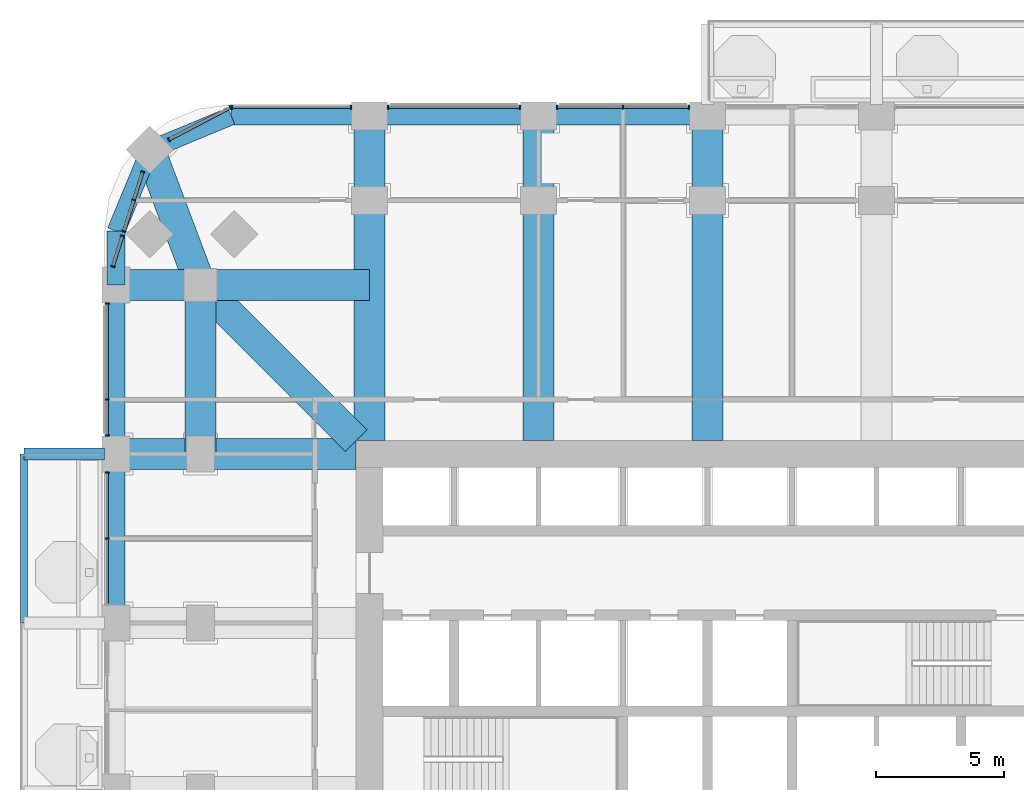
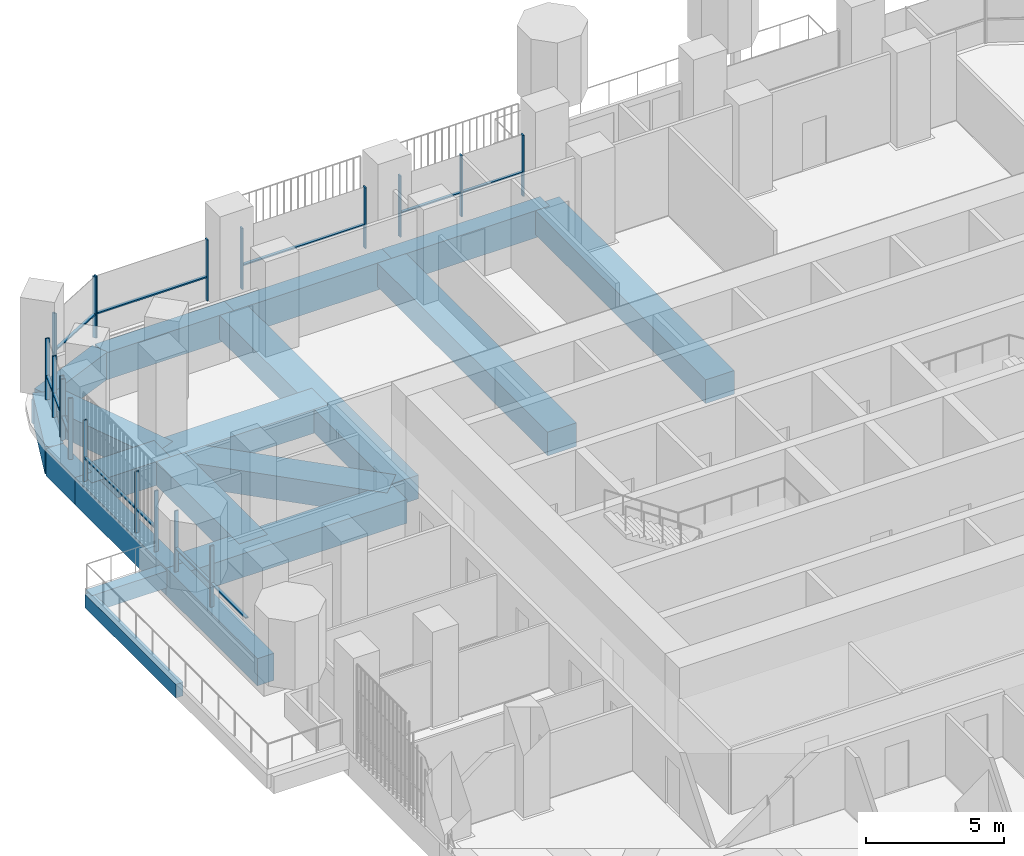
# One storey, part 6 of 22: 31 members, 19 beams, 8 elements without a shape of their own.
"""IFC4 building model written with IfcOpenShell, lengths in metres."""

from ifc_helpers import new_model, si_unit, direction, frame, origin, origin_2d, place, context, subcontext, project, spatial, rectangle, extrude, material, material_profile, profile_set, type_object, element, aggregate, save


model = new_model("IFC4")

# Units and contexts
model_context = context("Model", 3, precision=1e-05, world=origin(), true_north=direction((0.0, 1.0)))
body_context = subcontext(model_context, "Body", "Model", "MODEL_VIEW")
ifc_project = project(units=[si_unit("LENGTHUNIT", "METRE"), si_unit("AREAUNIT", "SQUARE_METRE"), si_unit("VOLUMEUNIT", "CUBIC_METRE"), si_unit("PLANEANGLEUNIT", "RADIAN"), si_unit("MASSUNIT", "GRAM", prefix="KILO")], contexts=[model_context])

# Site, building, storey
site_placement = place(None, origin())
site = spatial("IfcSite", under=ifc_project, at=site_placement, CompositionType="ELEMENT")
building_placement = place(site_placement, origin())
building = spatial("IfcBuilding", under=site, at=building_placement, Name="Cobogo Forest Laboratory Tower", CompositionType="ELEMENT")
storey_placement = place(building_placement, frame((0.0, 0.0, 111.60009765625)))
storey = spatial("IfcBuildingStorey", under=building, at=storey_placement, Name="L25", CompositionType="ELEMENT", Elevation=111.60009765625)

# Beams
ifc_material_1 = material(Name="Concrete HA-40 (C40/50)", Category="concrete")
ifc_material_profile_1 = material_profile(ifc_material_1, rectangle(XDim=0.449951171875, YDim=0.75, at=origin_2d()), Name="RC 450x750")
ifc_profile_set_1 = profile_set([ifc_material_profile_1], Name="Concrete HA-40 (C40/50)")
beam_type_1 = type_object("IfcBeamType", Name="Balcony cantilever beam 450x750", PredefinedType="BEAM", material=ifc_profile_set_1)
beam_1_placement = place(storey_placement, frame((2.85009765625, 33.0, -0.625), z_axis=(-1.0, 0.0, 0.0), x_axis=(0.0, -1.0, 0.0)))
element("IfcBeam", 1, at=beam_1_placement, inside=storey, type_object=beam_type_1, Name="CB1 BAL-W1-C3 L25", PredefinedType="BEAM", context=body_context, shape_type="SweptSolid", body=[
    extrude(rectangle(XDim=0.449951171875, YDim=0.75, at=origin_2d()), origin(), (0.0, 0.0, 1.0), 3.150146484375),
])
ifc_material_profile_2 = material_profile(ifc_material_1, rectangle(XDim=0.300048828125, YDim=0.60009765625, at=origin_2d()), Name="RC 300x600")
ifc_profile_set_2 = profile_set([ifc_material_profile_2], Name="Concrete HA-40 (C40/50)")
beam_type_2 = type_object("IfcBeamType", Name="Balcony edge beam 300x600", PredefinedType="BEAM", material=ifc_profile_set_2)
beam_2_placement = place(storey_placement, frame((-0.300048828125, 26.39990234375, -0.550048828125), z_axis=(0.0, 1.0, 0.0), x_axis=(-1.0, 0.0, 0.0)))
element("IfcBeam", 2, at=beam_2_placement, inside=storey, type_object=beam_type_2, Name="BB1 BAL-W1-T2 L25", PredefinedType="BEAM", context=body_context, shape_type="SweptSolid", body=[
    extrude(rectangle(XDim=0.300048828125, YDim=0.60009765625, at=origin_2d()), origin(), (0.0, 0.0, 1.0), 6.60009765625),
])
ifc_material_profile_3 = material_profile(ifc_material_1, rectangle(XDim=1.199951171875, YDim=1.050048828125, at=origin_2d()), Name="RC 1200x1050")
ifc_profile_set_3 = profile_set([ifc_material_profile_3], Name="Concrete HA-40 (C40/50)")
beam_type_3 = type_object("IfcBeamType", Name="Laboratory floor wide beam 1200x1050", PredefinedType="BEAM", material=ifc_profile_set_3)
for number, where, z_axis, x_axis, name in (
    (3, (13.199951171875, 33.52490234375, -0.8251953125), (0.0, 1.0, 0.0), (-1.0, 0.0, 0.0), "RB1 R-3-N L25"),
    (4, (19.800048828125, 33.52490234375, -0.8251953125), (0.0, 1.0, 0.0), (-1.0, 0.0, 0.0), "RB1 R-4-N L25"),
    (5, (26.39990234375, 33.52490234375, -0.8251953125), (0.0, 1.0, 0.0), (-1.0, 0.0, 0.0), "RB1 R-5-N L25"),
):
    element("IfcBeam", number, at=place(storey_placement, frame(where, z_axis=z_axis, x_axis=x_axis)), inside=storey, type_object=beam_type_3, Name=name, PredefinedType="BEAM", context=body_context, shape_type="SweptSolid", body=[
        extrude(rectangle(XDim=1.199951171875, YDim=1.050048828125, at=origin_2d()), origin(), (0.0, 0.0, 1.0), 12.675048828125),
    ])
beam_3_placement = place(storey_placement, frame((12.675048828125, 33.0, -0.8251953125), z_axis=(-1.0, 0.0, 0.0), x_axis=(0.0, -1.0, 0.0)))
element("IfcBeam", 6, at=beam_3_placement, inside=storey, type_object=beam_type_3, Name="RB1 R-F-W L25", PredefinedType="BEAM", context=body_context, shape_type="SweptSolid", body=[
    extrude(rectangle(XDim=1.199951171875, YDim=1.050048828125, at=origin_2d()), origin(), (0.0, 0.0, 1.0), 9.375),
])
beam_4_placement = place(storey_placement, frame((6.60009765625, 39.60009765625, -0.8251953125), z_axis=(0.0, -1.0, 0.0), x_axis=(1.0, 0.0, 0.0)))
element("IfcBeam", 7, at=beam_4_placement, inside=storey, type_object=beam_type_3, Name="RB1 G-NW-XC L25", PredefinedType="BEAM", context=body_context, shape_type="SweptSolid", body=[
    extrude(rectangle(XDim=1.199951171875, YDim=1.050048828125, at=origin_2d()), origin(), (0.0, 0.0, 1.0), 6.60009765625),
])
beam_5_placement = place(storey_placement, frame((3.300048828125, 39.60009765625, -0.8251953125), z_axis=(1.0, 0.0, 0.0), x_axis=(0.0, 1.0, 0.0)))
element("IfcBeam", 8, at=beam_5_placement, inside=storey, type_object=beam_type_3, Name="RB1 G-NW-YF L25", PredefinedType="BEAM", context=body_context, shape_type="SweptSolid", body=[
    extrude(rectangle(XDim=1.199951171875, YDim=1.050048828125, at=origin_2d()), origin(), (0.0, 0.0, 1.0), 3.300048828125),
])
beam_6_placement = place(storey_placement, frame((6.60009765625, 39.60009765625, -0.8251953125), z_axis=(1.0, 0.0, 0.0), x_axis=(0.0, 1.0, 0.0)))
element("IfcBeam", 9, at=beam_6_placement, inside=storey, type_object=beam_type_3, Name="RB1 G-NW-YC L25", PredefinedType="BEAM", context=body_context, shape_type="SweptSolid", body=[
    extrude(rectangle(XDim=1.199951171875, YDim=1.050048828125, at=origin_2d()), origin(), (0.0, 0.0, 1.0), 6.599853515625),
])
beam_7_placement = place(storey_placement, frame((4.617919921875, 44.882080078125, -0.8251953125), z_axis=(0.351346325373, -0.936245565889, 0.0), x_axis=(0.936245565889, 0.351346325373, 0.0)))
element("IfcBeam", 10, at=beam_7_placement, inside=storey, type_object=beam_type_3, Name="RB1 G-NW-D1 L25", PredefinedType="BEAM", context=body_context, shape_type="SweptSolid", body=[
    extrude(rectangle(XDim=1.199951171875, YDim=1.050048828125, at=origin_2d()), origin(), (0.0, 0.0, 1.0), 5.6416015625),
])
beam_8_placement = place(storey_placement, frame((6.60009765625, 39.60009765625, -0.8251953125), z_axis=(0.707092572697, -0.70712098939, 0.0), x_axis=(0.70712098939, 0.707092572697, 0.0)))
element("IfcBeam", 11, at=beam_8_placement, inside=storey, type_object=beam_type_3, Name="RB1 G-NW-D2 L25", PredefinedType="BEAM", context=body_context, shape_type="SweptSolid", body=[
    extrude(rectangle(XDim=1.199951171875, YDim=1.050048828125, at=origin_2d()), origin(), (0.0, 0.0, 1.0), 8.591552734375),
])

# Curtain wall, members
ifc_material_2 = material(Name="Aluminium curtain wall", Category="aluminium")
curtain_wall_type = type_object("IfcCurtainWallType", Name="CW-1 unitised curtain wall, clear glazing, laboratory floors zones A and B", PredefinedType="USERDEFINED", material=ifc_material_2)
curtain_wall_1_placement = place(storey_placement, origin())
curtain_wall_1 = element("IfcCurtainWall", 12, at=curtain_wall_1_placement, inside=storey, type_object=curtain_wall_type, Name="Curtain wall 21 L25", ObjectType="UNITISED CURTAIN WALL", PredefinedType="USERDEFINED")
ifc_material_3 = material(Name="Aluminium mullion", Category="aluminium")
ifc_material_profile_4 = material_profile(ifc_material_3, rectangle(XDim=0.06005859375, YDim=0.159912109375, at=origin_2d()), Name="AL 60x160")
ifc_profile_set_4 = profile_set([ifc_material_profile_4], Name="Aluminium mullion")
member_type_1 = type_object("IfcMemberType", Name="MU-1 aluminium mullion 60x160", PredefinedType="MULLION", material=ifc_profile_set_4)
member_1_placement = place(storey_placement, frame((25.669921875, 46.550048828125, 0.0), z_axis=(0.0, 0.0, 1.0), x_axis=(-1.0, 0.0, 0.0)))
member_1 = element("IfcMember", 13, at=member_1_placement, type_object=member_type_1, Name="CW-1 mullion 1", PredefinedType="MULLION", context=body_context, shape_type="SweptSolid", body=[
    extrude(rectangle(XDim=0.06005859375, YDim=0.159912109375, at=origin_2d()), origin(), (0.0, 0.0, 1.0), 2.699951171875),
])
member_2_placement = place(storey_placement, frame((23.10009765625, 46.550048828125, 0.0), z_axis=(0.0, 0.0, 1.0), x_axis=(-1.0, 0.0, 0.0)))
member_2 = element("IfcMember", 14, at=member_2_placement, type_object=member_type_1, Name="CW-1 mullion 2", PredefinedType="MULLION", context=body_context, shape_type="SweptSolid", body=[
    extrude(rectangle(XDim=0.06005859375, YDim=0.159912109375, at=origin_2d()), origin(), (0.0, 0.0, 1.0), 2.699951171875),
])
member_3_placement = place(storey_placement, frame((20.530029296875, 46.550048828125, 0.0), z_axis=(0.0, 0.0, 1.0), x_axis=(-1.0, 0.0, 0.0)))
member_3 = element("IfcMember", 15, at=member_3_placement, type_object=member_type_1, Name="CW-1 mullion 3", PredefinedType="MULLION", context=body_context, shape_type="SweptSolid", body=[
    extrude(rectangle(XDim=0.06005859375, YDim=0.159912109375, at=origin_2d()), origin(), (0.0, 0.0, 1.0), 2.699951171875),
])

curtain_wall_2_placement = place(storey_placement, origin())
curtain_wall_2 = element("IfcCurtainWall", 16, at=curtain_wall_2_placement, inside=storey, type_object=curtain_wall_type, Name="Curtain wall 22 L25", ObjectType="UNITISED CURTAIN WALL", PredefinedType="USERDEFINED")
member_4_placement = place(storey_placement, frame((19.070068359375, 46.550048828125, 0.0), z_axis=(0.0, 0.0, 1.0), x_axis=(-1.0, 0.0, 0.0)))
member_4 = element("IfcMember", 17, at=member_4_placement, type_object=member_type_1, Name="CW-1 mullion 1", PredefinedType="MULLION", context=body_context, shape_type="SweptSolid", body=[
    extrude(rectangle(XDim=0.06005859375, YDim=0.159912109375, at=origin_2d()), origin(), (0.0, 0.0, 1.0), 2.699951171875),
])
member_5_placement = place(storey_placement, frame((13.929931640625, 46.550048828125, 0.0), z_axis=(0.0, 0.0, 1.0), x_axis=(-1.0, 0.0, 0.0)))
member_5 = element("IfcMember", 18, at=member_5_placement, type_object=member_type_1, Name="CW-1 mullion 2", PredefinedType="MULLION", context=body_context, shape_type="SweptSolid", body=[
    extrude(rectangle(XDim=0.06005859375, YDim=0.159912109375, at=origin_2d()), origin(), (0.0, 0.0, 1.0), 2.699951171875),
])

curtain_wall_3_placement = place(storey_placement, origin())
curtain_wall_3 = element("IfcCurtainWall", 19, at=curtain_wall_3_placement, inside=storey, type_object=curtain_wall_type, Name="Curtain wall 23 L25", ObjectType="UNITISED CURTAIN WALL", PredefinedType="USERDEFINED")
member_6_placement = place(storey_placement, frame((12.469970703125, 46.550048828125, 0.0), z_axis=(0.0, 0.0, 1.0), x_axis=(-1.0, 0.0, 0.0)))
member_6 = element("IfcMember", 20, at=member_6_placement, type_object=member_type_1, Name="CW-1 mullion 1", PredefinedType="MULLION", context=body_context, shape_type="SweptSolid", body=[
    extrude(rectangle(XDim=0.06005859375, YDim=0.159912109375, at=origin_2d()), origin(), (0.0, 0.0, 1.0), 2.699951171875),
])
member_7_placement = place(storey_placement, frame((7.830078125, 46.550048828125, 0.0), z_axis=(0.0, 0.0, 1.0), x_axis=(-1.0, 0.0, 0.0)))
member_7 = element("IfcMember", 21, at=member_7_placement, type_object=member_type_1, Name="CW-1 mullion 2", PredefinedType="MULLION", context=body_context, shape_type="SweptSolid", body=[
    extrude(rectangle(XDim=0.06005859375, YDim=0.159912109375, at=origin_2d()), origin(), (0.0, 0.0, 1.0), 2.699951171875),
])

curtain_wall_4_placement = place(storey_placement, origin())
curtain_wall_4 = element("IfcCurtainWall", 22, at=curtain_wall_4_placement, inside=storey, type_object=curtain_wall_type, Name="Curtain wall 24 L25", ObjectType="UNITISED CURTAIN WALL", PredefinedType="USERDEFINED")
member_8_placement = place(storey_placement, frame((7.7734375, 46.5361328125, 0.0), z_axis=(0.0, 0.0, 1.0), x_axis=(-0.885686547075, -0.464283685186, 0.0)))
member_8 = element("IfcMember", 23, at=member_8_placement, type_object=member_type_1, Name="CW-1 mullion 1", PredefinedType="MULLION", context=body_context, shape_type="SweptSolid", body=[
    extrude(rectangle(XDim=0.06005859375, YDim=0.159912109375, at=origin_2d()), origin(), (0.0, 0.0, 1.0), 2.699951171875),
])
member_9_placement = place(storey_placement, frame((5.368408203125, 45.275390625, 0.0), z_axis=(0.0, 0.0, 1.0), x_axis=(-0.885686547075, -0.464283685186, 0.0)))
member_9 = element("IfcMember", 24, at=member_9_placement, type_object=member_type_1, Name="CW-1 mullion 2", PredefinedType="MULLION", context=body_context, shape_type="SweptSolid", body=[
    extrude(rectangle(XDim=0.06005859375, YDim=0.159912109375, at=origin_2d()), origin(), (0.0, 0.0, 1.0), 2.699951171875),
])

curtain_wall_5_placement = place(storey_placement, origin())
curtain_wall_5 = element("IfcCurtainWall", 25, at=curtain_wall_5_placement, inside=storey, type_object=curtain_wall_type, Name="Curtain wall 25 L25", ObjectType="UNITISED CURTAIN WALL", PredefinedType="USERDEFINED")
member_10_placement = place(storey_placement, frame((4.34423828125, 44.01513671875, 0.0), z_axis=(0.0, 0.0, 1.0), x_axis=(-0.301135291996, -0.953581425949, 0.0)))
member_10 = element("IfcMember", 26, at=member_10_placement, type_object=member_type_1, Name="CW-1 mullion 1", PredefinedType="MULLION", context=body_context, shape_type="SweptSolid", body=[
    extrude(rectangle(XDim=0.06005859375, YDim=0.159912109375, at=origin_2d()), origin(), (0.0, 0.0, 1.0), 2.699951171875),
])
member_11_placement = place(storey_placement, frame((3.999755859375, 42.924072265625, 0.0), z_axis=(0.0, 0.0, 1.0), x_axis=(-0.301135291996, -0.953581425949, 0.0)))
member_11 = element("IfcMember", 27, at=member_11_placement, type_object=member_type_1, Name="CW-1 mullion 2", PredefinedType="MULLION", context=body_context, shape_type="SweptSolid", body=[
    extrude(rectangle(XDim=0.06005859375, YDim=0.159912109375, at=origin_2d()), origin(), (0.0, 0.0, 1.0), 2.699951171875),
])
member_12_placement = place(storey_placement, frame((3.613037109375, 41.69970703125, 0.0), z_axis=(0.0, 0.0, 1.0), x_axis=(-0.301135291996, -0.953581425949, 0.0)))
member_12 = element("IfcMember", 28, at=member_12_placement, type_object=member_type_1, Name="CW-1 mullion 3", PredefinedType="MULLION", context=body_context, shape_type="SweptSolid", body=[
    extrude(rectangle(XDim=0.06005859375, YDim=0.159912109375, at=origin_2d()), origin(), (0.0, 0.0, 1.0), 2.699951171875),
])

curtain_wall_6_placement = place(storey_placement, origin())
curtain_wall_6 = element("IfcCurtainWall", 29, at=curtain_wall_6_placement, inside=storey, type_object=curtain_wall_type, Name="Curtain wall 26 L25", ObjectType="UNITISED CURTAIN WALL", PredefinedType="USERDEFINED")
member_13_placement = place(storey_placement, frame((3.55224609375, 41.507080078125, 0.0), z_axis=(0.0, 0.0, 1.0), x_axis=(-0.301135356805, -0.953581405483, 0.0)))
member_13 = element("IfcMember", 30, at=member_13_placement, type_object=member_type_1, Name="CW-1 mullion 1", PredefinedType="MULLION", context=body_context, shape_type="SweptSolid", body=[
    extrude(rectangle(XDim=0.06005859375, YDim=0.159912109375, at=origin_2d()), origin(), (0.0, 0.0, 1.0), 2.699951171875),
])
member_14_placement = place(storey_placement, frame((3.18017578125, 40.32861328125, 0.0), z_axis=(0.0, 0.0, 1.0), x_axis=(-0.301135356805, -0.953581405483, 0.0)))
member_14 = element("IfcMember", 31, at=member_14_placement, type_object=member_type_1, Name="CW-1 mullion 2", PredefinedType="MULLION", context=body_context, shape_type="SweptSolid", body=[
    extrude(rectangle(XDim=0.06005859375, YDim=0.159912109375, at=origin_2d()), origin(), (0.0, 0.0, 1.0), 2.699951171875),
])

curtain_wall_7_placement = place(storey_placement, origin())
curtain_wall_7 = element("IfcCurtainWall", 32, at=curtain_wall_7_placement, inside=storey, type_object=curtain_wall_type, Name="Curtain wall 27 L25", ObjectType="UNITISED CURTAIN WALL", PredefinedType="USERDEFINED")
member_15_placement = place(storey_placement, frame((2.949951171875, 38.8701171875, 0.0), z_axis=(0.0, 0.0, 1.0), x_axis=(0.0, -1.0, 0.0)))
member_15 = element("IfcMember", 33, at=member_15_placement, type_object=member_type_1, Name="CW-1 mullion 1", PredefinedType="MULLION", context=body_context, shape_type="SweptSolid", body=[
    extrude(rectangle(XDim=0.06005859375, YDim=0.159912109375, at=origin_2d()), origin(), (0.0, 0.0, 1.0), 2.699951171875),
])
member_16_placement = place(storey_placement, frame((2.949951171875, 35.125, 0.0), z_axis=(0.0, 0.0, 1.0), x_axis=(0.0, -1.0, 0.0)))
member_16 = element("IfcMember", 34, at=member_16_placement, type_object=member_type_1, Name="CW-1 mullion 2", PredefinedType="MULLION", context=body_context, shape_type="SweptSolid", body=[
    extrude(rectangle(XDim=0.06005859375, YDim=0.159912109375, at=origin_2d()), origin(), (0.0, 0.0, 1.0), 2.699951171875),
])
member_17_placement = place(storey_placement, frame((2.949951171875, 33.72998046875, 0.0), z_axis=(0.0, 0.0, 1.0), x_axis=(0.0, -1.0, 0.0)))
member_17 = element("IfcMember", 35, at=member_17_placement, type_object=member_type_1, Name="CW-1 mullion 3", PredefinedType="MULLION", context=body_context, shape_type="SweptSolid", body=[
    extrude(rectangle(XDim=0.06005859375, YDim=0.159912109375, at=origin_2d()), origin(), (0.0, 0.0, 1.0), 2.699951171875),
])

curtain_wall_8_placement = place(storey_placement, origin())
curtain_wall_8 = element("IfcCurtainWall", 36, at=curtain_wall_8_placement, inside=storey, type_object=curtain_wall_type, Name="Curtain wall 28 L25", ObjectType="UNITISED CURTAIN WALL", PredefinedType="USERDEFINED")
member_18_placement = place(storey_placement, frame((2.949951171875, 32.27001953125, 0.0), z_axis=(0.0, 0.0, 1.0), x_axis=(0.0, -1.0, 0.0)))
member_18 = element("IfcMember", 37, at=member_18_placement, type_object=member_type_1, Name="CW-1 mullion 1", PredefinedType="MULLION", context=body_context, shape_type="SweptSolid", body=[
    extrude(rectangle(XDim=0.06005859375, YDim=0.159912109375, at=origin_2d()), origin(), (0.0, 0.0, 1.0), 2.699951171875),
])
member_19_placement = place(storey_placement, frame((2.949951171875, 29.699951171875, 0.0), z_axis=(0.0, 0.0, 1.0), x_axis=(0.0, -1.0, 0.0)))
member_19 = element("IfcMember", 38, at=member_19_placement, type_object=member_type_1, Name="CW-1 mullion 2", PredefinedType="MULLION", context=body_context, shape_type="SweptSolid", body=[
    extrude(rectangle(XDim=0.06005859375, YDim=0.159912109375, at=origin_2d()), origin(), (0.0, 0.0, 1.0), 2.699951171875),
])

# Beams
ifc_material_profile_5 = material_profile(ifc_material_1, rectangle(XDim=0.699951171875, YDim=1.199951171875, at=origin_2d()), Name="RC 700x1200")
ifc_profile_set_5 = profile_set([ifc_material_profile_5], Name="Concrete HA-40 (C40/50)")
beam_type_4 = type_object("IfcBeamType", Name="Perimeter edge beam 700x1200", PredefinedType="BEAM", material=ifc_profile_set_5)
beam_9_placement = place(storey_placement, frame((13.199951171875, 46.199951171875, -0.900146484375), z_axis=(1.0, 0.0, 0.0), x_axis=(0.0, 1.0, 0.0)))
element("IfcBeam", 39, at=beam_9_placement, inside=storey, type_object=beam_type_4, Name="EB1 E-N1 L25", PredefinedType="BEAM", context=body_context, shape_type="SweptSolid", body=[
    extrude(rectangle(XDim=0.699951171875, YDim=1.199951171875, at=origin_2d()), origin(), (0.0, 0.0, 1.0), 6.60009765625),
])
beam_10_placement = place(storey_placement, frame((19.800048828125, 46.199951171875, -0.900146484375), z_axis=(1.0, 0.0, 0.0), x_axis=(0.0, 1.0, 0.0)))
element("IfcBeam", 40, at=beam_10_placement, inside=storey, type_object=beam_type_4, Name="EB1 E-N2 L25", PredefinedType="BEAM", context=body_context, shape_type="SweptSolid", body=[
    extrude(rectangle(XDim=0.699951171875, YDim=1.199951171875, at=origin_2d()), origin(), (0.0, 0.0, 1.0), 6.599853515625),
])
for number, where, z_axis, x_axis, name in (
    (41, (3.300048828125, 26.39990234375, -0.900146484375), (0.0, 1.0, 0.0), (-1.0, 0.0, 0.0), "EB1 E-W4 L25"),
    (42, (3.300048828125, 33.0, -0.900146484375), (0.0, 1.0, 0.0), (-1.0, 0.0, 0.0), "EB1 E-W5 L25"),
):
    element("IfcBeam", number, at=place(storey_placement, frame(where, z_axis=z_axis, x_axis=x_axis)), inside=storey, type_object=beam_type_4, Name=name, PredefinedType="BEAM", context=body_context, shape_type="SweptSolid", body=[
        extrude(rectangle(XDim=0.699951171875, YDim=1.199951171875, at=origin_2d()), origin(), (0.0, 0.0, 1.0), 6.60009765625),
    ])
beam_11_placement = place(storey_placement, frame((13.199951171875, 46.199951171875, -0.900146484375), z_axis=(-1.0, 0.0, 0.0), x_axis=(0.0, -1.0, 0.0)))
element("IfcBeam", 43, at=beam_11_placement, inside=storey, type_object=beam_type_4, Name="EB1 E-NWN1 L25", PredefinedType="BEAM", context=body_context, shape_type="SweptSolid", body=[
    extrude(rectangle(XDim=0.699951171875, YDim=1.199951171875, at=origin_2d()), origin(), (0.0, 0.0, 1.0), 5.39990234375),
])
beam_12_placement = place(storey_placement, frame((7.800048828125, 46.199951171875, -0.900146484375), z_axis=(-0.923901072997, -0.382631424892, 0.0), x_axis=(0.382631424892, -0.923901072997, 0.0)))
element("IfcBeam", 44, at=beam_12_placement, inside=storey, type_object=beam_type_4, Name="EB1 E-NWN2 L25", PredefinedType="BEAM", context=body_context, shape_type="SweptSolid", body=[
    extrude(rectangle(XDim=0.699951171875, YDim=1.199951171875, at=origin_2d()), origin(), (0.0, 0.0, 1.0), 3.4443359375),
])
beam_13_placement = place(storey_placement, frame((3.300048828125, 39.60009765625, -0.900146484375), z_axis=(0.0, 1.0, 0.0), x_axis=(-1.0, 0.0, 0.0)))
element("IfcBeam", 45, at=beam_13_placement, inside=storey, type_object=beam_type_4, Name="EB1 E-NWW1 L25", PredefinedType="BEAM", context=body_context, shape_type="SweptSolid", body=[
    extrude(rectangle(XDim=0.699951171875, YDim=1.199951171875, at=origin_2d()), origin(), (0.0, 0.0, 1.0), 2.099853515625),
])
beam_14_placement = place(storey_placement, frame((3.300048828125, 41.699951171875, -0.900146484375), z_axis=(0.382631424892, 0.923901072997, 0.0), x_axis=(-0.923901072997, 0.382631424892, 0.0)))
element("IfcBeam", 46, at=beam_14_placement, inside=storey, type_object=beam_type_4, Name="EB1 E-NWW2 L25", PredefinedType="BEAM", context=body_context, shape_type="SweptSolid", body=[
    extrude(rectangle(XDim=0.699951171875, YDim=1.199951171875, at=origin_2d()), origin(), (0.0, 0.0, 1.0), 3.4443359375),
])

# Member
ifc_material_4 = material(Name="Aluminium transom", Category="aluminium")
ifc_material_profile_6 = material_profile(ifc_material_4, rectangle(XDim=0.1201171875, YDim=0.06005859375, at=origin_2d()), Name="AL 60x120")
ifc_profile_set_6 = profile_set([ifc_material_profile_6], Name="Aluminium transom")
member_type_2 = type_object("IfcMemberType", Name="TR-1 aluminium transom 60x120", PredefinedType="USERDEFINED", material=ifc_profile_set_6)
member_20_placement = place(storey_placement, frame((25.639892578125, 46.550048828125, 1.0498046875), z_axis=(-1.0, 0.0, 0.0), x_axis=(0.0, -1.0, 0.0)))
member_20 = element("IfcMember", 47, at=member_20_placement, type_object=member_type_2, Name="CW-1 transom 1.1", ObjectType="TRANSOM", PredefinedType="USERDEFINED", context=body_context, shape_type="SweptSolid", body=[
    extrude(rectangle(XDim=0.1201171875, YDim=0.06005859375, at=origin_2d()), origin(), (0.0, 0.0, 1.0), 2.510009765625),
])

member_21_placement = place(storey_placement, frame((23.070068359375, 46.550048828125, 1.0498046875), z_axis=(-1.0, 0.0, 0.0), x_axis=(0.0, -1.0, 0.0)))
member_21 = element("IfcMember", 48, at=member_21_placement, type_object=member_type_2, Name="CW-1 transom 2.1", ObjectType="TRANSOM", PredefinedType="USERDEFINED", context=body_context, shape_type="SweptSolid", body=[
    extrude(rectangle(XDim=0.1201171875, YDim=0.06005859375, at=origin_2d()), origin(), (0.0, 0.0, 1.0), 2.510009765625),
])

aggregate(curtain_wall_1, [member_1, member_2, member_3, member_20, member_21])

member_22_placement = place(storey_placement, frame((19.0400390625, 46.550048828125, 1.0498046875), z_axis=(-1.0, 0.0, 0.0), x_axis=(0.0, -1.0, 0.0)))
member_22 = element("IfcMember", 49, at=member_22_placement, type_object=member_type_2, Name="CW-1 transom 1.1", ObjectType="TRANSOM", PredefinedType="USERDEFINED", context=body_context, shape_type="SweptSolid", body=[
    extrude(rectangle(XDim=0.1201171875, YDim=0.06005859375, at=origin_2d()), origin(), (0.0, 0.0, 1.0), 5.080078125),
])

aggregate(curtain_wall_2, [member_4, member_5, member_22])

member_23_placement = place(storey_placement, frame((12.43994140625, 46.550048828125, 1.0498046875), z_axis=(-1.0, 0.0, 0.0), x_axis=(0.0, -1.0, 0.0)))
member_23 = element("IfcMember", 50, at=member_23_placement, type_object=member_type_2, Name="CW-1 transom 1.1", ObjectType="TRANSOM", PredefinedType="USERDEFINED", context=body_context, shape_type="SweptSolid", body=[
    extrude(rectangle(XDim=0.1201171875, YDim=0.06005859375, at=origin_2d()), origin(), (0.0, 0.0, 1.0), 4.579833984375),
])

aggregate(curtain_wall_3, [member_6, member_7, member_23])

member_24_placement = place(storey_placement, frame((7.746826171875, 46.522216796875, 1.0498046875), z_axis=(-0.885694740493, -0.464268054753, 0.0), x_axis=(0.464268054753, -0.885694740493, 0.0)))
member_24 = element("IfcMember", 51, at=member_24_placement, type_object=member_type_2, Name="CW-1 transom 1.1", ObjectType="TRANSOM", PredefinedType="USERDEFINED", context=body_context, shape_type="SweptSolid", body=[
    extrude(rectangle(XDim=0.1201171875, YDim=0.06005859375, at=origin_2d()), origin(), (0.0, 0.0, 1.0), 2.655517578125),
])

aggregate(curtain_wall_4, [member_8, member_9, member_24])

member_25_placement = place(storey_placement, frame((4.335205078125, 43.986328125, 1.0498046875), z_axis=(-0.301120589075, -0.953586068918, 0.0), x_axis=(0.953586068918, -0.301120589075, 0.0)))
member_25 = element("IfcMember", 52, at=member_25_placement, type_object=member_type_2, Name="CW-1 transom 1.1", ObjectType="TRANSOM", PredefinedType="USERDEFINED", context=body_context, shape_type="SweptSolid", body=[
    extrude(rectangle(XDim=0.1201171875, YDim=0.06005859375, at=origin_2d()), origin(), (0.0, 0.0, 1.0), 1.083984375),
])

member_26_placement = place(storey_placement, frame((3.99072265625, 42.8955078125, 1.0498046875), z_axis=(-0.301169549566, -0.953570606937, 0.0), x_axis=(0.953570606937, -0.301169549566, 0.0)))
member_26 = element("IfcMember", 53, at=member_26_placement, type_object=member_type_2, Name="CW-1 transom 2.1", ObjectType="TRANSOM", PredefinedType="USERDEFINED", context=body_context, shape_type="SweptSolid", body=[
    extrude(rectangle(XDim=0.1201171875, YDim=0.06005859375, at=origin_2d()), origin(), (0.0, 0.0, 1.0), 1.22412109375),
])

aggregate(curtain_wall_5, [member_10, member_11, member_12, member_25, member_26])

member_27_placement = place(storey_placement, frame((3.543212890625, 41.478515625, 1.0498046875), z_axis=(-0.301051874343, -0.953607764731, 0.0), x_axis=(0.953607764731, -0.301051874343, 0.0)))
member_27 = element("IfcMember", 54, at=member_27_placement, type_object=member_type_2, Name="CW-1 transom 1.1", ObjectType="TRANSOM", PredefinedType="USERDEFINED", context=body_context, shape_type="SweptSolid", body=[
    extrude(rectangle(XDim=0.1201171875, YDim=0.06005859375, at=origin_2d()), origin(), (0.0, 0.0, 1.0), 1.17578125),
])

aggregate(curtain_wall_6, [member_13, member_14, member_27])

member_28_placement = place(storey_placement, frame((2.949951171875, 38.840087890625, 1.0498046875), z_axis=(0.0, -1.0, 0.0), x_axis=(1.0, 0.0, 0.0)))
member_28 = element("IfcMember", 55, at=member_28_placement, type_object=member_type_2, Name="CW-1 transom 1.1", ObjectType="TRANSOM", PredefinedType="USERDEFINED", context=body_context, shape_type="SweptSolid", body=[
    extrude(rectangle(XDim=0.1201171875, YDim=0.06005859375, at=origin_2d()), origin(), (0.0, 0.0, 1.0), 3.68505859375),
])

member_29_placement = place(storey_placement, frame((2.949951171875, 35.094970703125, 1.0498046875), z_axis=(0.0, -1.0, 0.0), x_axis=(1.0, 0.0, 0.0)))
member_29 = element("IfcMember", 56, at=member_29_placement, type_object=member_type_2, Name="CW-1 transom 2.1", ObjectType="TRANSOM", PredefinedType="USERDEFINED", context=body_context, shape_type="SweptSolid", body=[
    extrude(rectangle(XDim=0.1201171875, YDim=0.06005859375, at=origin_2d()), origin(), (0.0, 0.0, 1.0), 1.3349609375),
])

aggregate(curtain_wall_7, [member_15, member_16, member_17, member_28, member_29])

member_30_placement = place(storey_placement, frame((2.949951171875, 32.239990234375, 1.0498046875), z_axis=(0.0, -1.0, 0.0), x_axis=(1.0, 0.0, 0.0)))
member_30 = element("IfcMember", 57, at=member_30_placement, type_object=member_type_2, Name="CW-1 transom 1.1", ObjectType="TRANSOM", PredefinedType="USERDEFINED", context=body_context, shape_type="SweptSolid", body=[
    extrude(rectangle(XDim=0.1201171875, YDim=0.06005859375, at=origin_2d()), origin(), (0.0, 0.0, 1.0), 2.510009765625),
])

member_31_placement = place(storey_placement, frame((2.949951171875, 29.669921875, 1.0498046875), z_axis=(0.0, -1.0, 0.0), x_axis=(1.0, 0.0, 0.0)))
member_31 = element("IfcMember", 58, at=member_31_placement, type_object=member_type_2, Name="CW-1 transom 2.1", ObjectType="TRANSOM", PredefinedType="USERDEFINED", context=body_context, shape_type="SweptSolid", body=[
    extrude(rectangle(XDim=0.1201171875, YDim=0.06005859375, at=origin_2d()), origin(), (0.0, 0.0, 1.0), 2.510009765625),
])

aggregate(curtain_wall_8, [member_18, member_19, member_30, member_31])

save(model, "model.ifc")
